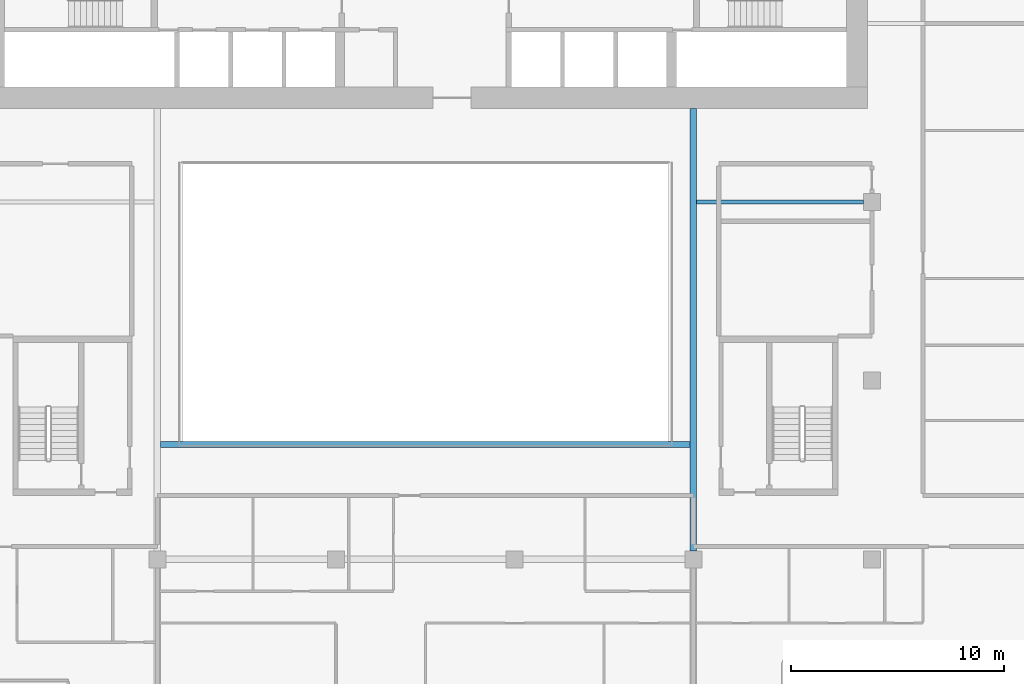
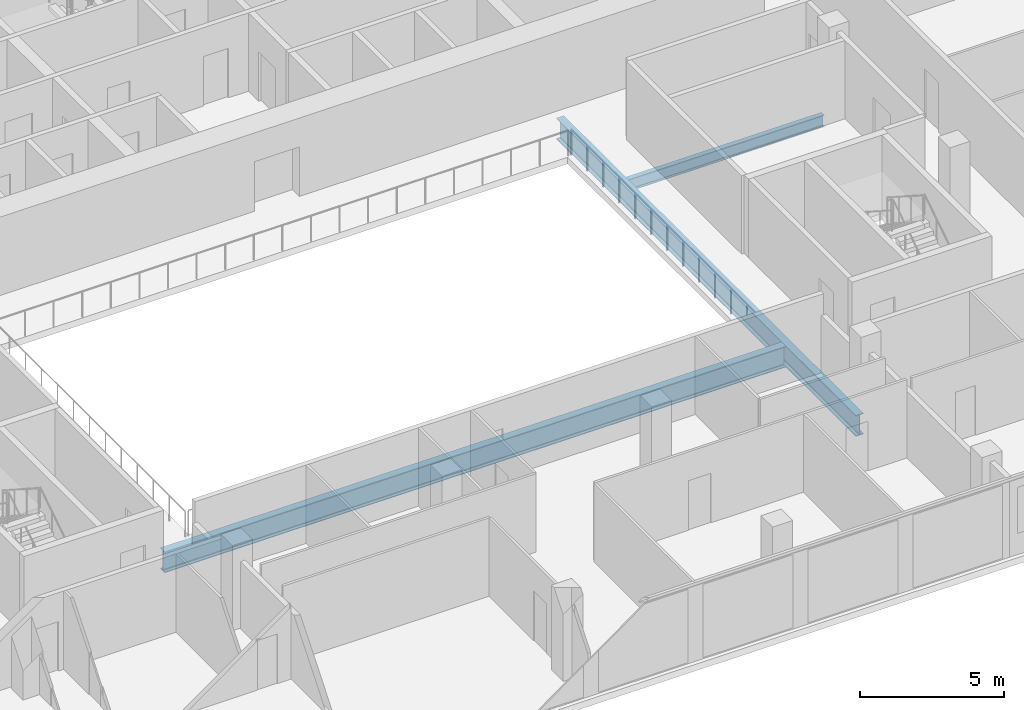
# One storey, part 7 of 27: 3 beams.
"""IFC4 building model written with IfcOpenShell, lengths in metres."""

import ifcopenshell
import ifcopenshell.guid

model = None  # the IFC model being written
_history = None  # IfcOwnerHistory: only IFC2X3 demands one
_inside = {}  # id of a spatial element -> (the spatial element, [elements in it])
_under = {}  # id of a project, library or spatial element -> (it, [spatial elements below it])
_declared = {}  # id of a project -> (the project, [libraries it declares])
_typed = {}  # id of a type object -> (the type object, [elements of that type])
_made_of = {}  # id of a material, layer set ... -> (it, [elements and type objects made of it])


def new_model(schema):
    """Start an empty IFC model of exactly this schema.

    Asked for "IFC4X3", IfcOpenShell would pick the latest addendum, in which some entities
    have other attributes; the version numbers below select the first issue.
    IFC2X3 requires an IfcOwnerHistory on every rooted entity: one is made here for all.
    """
    global model, _history
    if schema == "IFC4X3":
        model = ifcopenshell.file(schema_version=(4, 3, 0, 0))
    else:
        model = ifcopenshell.file(schema=schema)
    _inside.clear()
    _under.clear()
    _declared.clear()
    _typed.clear()
    _made_of.clear()
    _history = None
    if model.schema == "IFC2X3":
        org = make("IfcOrganization", Name="unknown")
        user = make(
            "IfcPersonAndOrganization",
            ThePerson=make("IfcPerson", FamilyName="unknown"),
            TheOrganization=org,
        )
        app = make(
            "IfcApplication",
            ApplicationDeveloper=org,
            Version="unknown",
            ApplicationFullName="unknown",
            ApplicationIdentifier="unknown",
        )
        _history = make(
            "IfcOwnerHistory",
            OwningUser=user,
            OwningApplication=app,
            ChangeAction="ADDED",
            CreationDate=0,
        )
    return model


def make(cls, **values):
    """One entity of the class cls with the attributes given. An attribute that is None is left unset."""
    return model.create_entity(
        cls, **{name: value for name, value in values.items() if value is not None}
    )


def rooted(cls, **values):
    """An entity with a GlobalId (a new one), such as an element, a storey or a relation."""
    return make(cls, GlobalId=ifcopenshell.guid.new(), OwnerHistory=_history, **values)


def si_unit(unit_type, name, prefix=None):
    """IfcSIUnit, for example si_unit("LENGTHUNIT", "METRE", prefix="MILLI")."""
    return make("IfcSIUnit", UnitType=unit_type, Prefix=prefix, Name=name)


def assignment(units):
    """IfcUnitAssignment: the units of a project."""
    return None if units is None else make("IfcUnitAssignment", Units=units)


def point(xyz):
    """IfcCartesianPoint."""
    return None if xyz is None else make("IfcCartesianPoint", Coordinates=xyz)


def direction(xyz):
    """IfcDirection."""
    return None if xyz is None else make("IfcDirection", DirectionRatios=xyz)


def frame(location, z_axis=None, x_axis=None):
    """IfcAxis2Placement3D, a coordinate frame: its origin and axes. An axis left out is left unset."""
    return make(
        "IfcAxis2Placement3D",
        Location=point(location),
        Axis=direction(z_axis),
        RefDirection=direction(x_axis),
    )


def frame_2d(location, x_axis=None):
    """IfcAxis2Placement2D, a coordinate frame in the plane: its origin and x axis."""
    return make(
        "IfcAxis2Placement2D", Location=point(location), RefDirection=direction(x_axis)
    )


def origin():
    """The frame at (0, 0, 0) with its axes left unset."""
    return frame((0.0, 0.0, 0.0))


def origin_2d():
    """The frame at (0, 0) in the plane with its x axis left unset."""
    return frame_2d((0.0, 0.0))


def place(relative_to, where):
    """IfcLocalPlacement: puts the frame where relative to a parent placement (None: the world)."""
    return make(
        "IfcLocalPlacement", PlacementRelTo=relative_to, RelativePlacement=where
    )


def context(
    kind, dimensions, precision=None, world=None, true_north=None, identifier=None
):
    """IfcGeometricRepresentationContext, for example the 3D "Model" context."""
    return make(
        "IfcGeometricRepresentationContext",
        ContextIdentifier=identifier,
        ContextType=kind,
        CoordinateSpaceDimension=dimensions,
        Precision=precision,
        WorldCoordinateSystem=world,
        TrueNorth=true_north,
    )


def subcontext(parent, identifier, kind, view, scale=None):
    """IfcGeometricRepresentationSubContext, for example "Body" below "Model"."""
    return make(
        "IfcGeometricRepresentationSubContext",
        ContextIdentifier=identifier,
        ContextType=kind,
        ParentContext=parent,
        TargetScale=scale,
        TargetView=view,
    )


def project(units=None, contexts=None):
    """IfcProject with its units and contexts."""
    return rooted(
        "IfcProject",
        Name="project",
        RepresentationContexts=contexts,
        UnitsInContext=assignment(units),
    )


def spatial(cls, under=None, at=None, **own):
    """A site, building, storey or space (cls), placed at a placement, below another one or the project."""
    s = rooted(cls, ObjectPlacement=at, **own)
    if under is not None:
        _under.setdefault(under.id(), (under, []))[1].append(s)
    return s


def profile(cls, at=None, kind="AREA", **sizes):
    """A parametric profile (cls). Its sizes go by their IFC names, for example OverallWidth=200.0."""
    return make(cls, ProfileType=kind, Position=at, **sizes)


def i_section(**sizes):
    """IfcIShapeProfileDef."""
    return profile("IfcIShapeProfileDef", **sizes)


def extrude(swept, where, along, depth):
    """IfcExtrudedAreaSolid: the profile swept, set in the frame where, extruded along a direction by depth."""
    return make(
        "IfcExtrudedAreaSolid",
        SweptArea=swept,
        Position=where,
        ExtrudedDirection=direction(along),
        Depth=depth,
    )


def shape(context_of_items, identifier, shape_type, items):
    """IfcShapeRepresentation: the items that make up one representation, for example the "Body"."""
    return make(
        "IfcShapeRepresentation",
        ContextOfItems=context_of_items,
        RepresentationIdentifier=identifier,
        RepresentationType=shape_type,
        Items=items,
    )


def material(Name=None, Category=None):
    """IfcMaterial."""
    return make("IfcMaterial", Name=Name, Category=Category)


def material_profile(
    of_material, cross_section, Name=None, Category=None, Priority=None
):
    """IfcMaterialProfile: a cross section and its material."""
    return make(
        "IfcMaterialProfile",
        Name=Name,
        Material=of_material,
        Profile=cross_section,
        Priority=Priority,
        Category=Category,
    )


def profile_set(profiles, Name=None, composite=None):
    """IfcMaterialProfileSet."""
    return make(
        "IfcMaterialProfileSet",
        Name=Name,
        MaterialProfiles=profiles,
        CompositeProfile=composite,
    )


def made_of(thing, what):
    """Note that an element or type object is made of a material, layer set ...; save() writes the relation."""
    if what is not None:
        _made_of.setdefault(what.id(), (what, []))[1].append(thing)
    return thing


def type_object(cls, material=None, **own):
    """A type object (cls), such as IfcWallType, which elements share."""
    return made_of(rooted(cls, **own), material)


def element(
    cls,
    number,
    at=None,
    inside=None,
    cuts=None,
    type_object=None,
    material=None,
    context=None,
    identifier="Body",
    shape_type=None,
    held_by="IfcProductDefinitionShape",
    body=None,
    shapes=None,
    **own,
):
    """One element of the class cls, such as IfcWall. Its Tag is "e" and its number.

    at: its placement. inside: the storey or other place that contains it. cuts: it is an
    opening in that element (IfcRelVoidsElement). A single representation is given by context,
    identifier, shape_type and body (its items); several are given by shapes. held_by: the class
    of the entity that holds the representations. save() writes the other relations.
    """
    e = rooted(cls, Tag="e%d" % number, ObjectPlacement=at, **own)
    if body is not None:
        shapes = [shape(context, identifier, shape_type, body)]
    if shapes is not None:
        e.Representation = make(held_by, Representations=shapes)
    if inside is not None:
        _inside.setdefault(inside.id(), (inside, []))[1].append(e)
    if cuts is not None:
        rooted(
            "IfcRelVoidsElement", RelatingBuildingElement=cuts, RelatedOpeningElement=e
        )
    if type_object is not None:
        _typed.setdefault(type_object.id(), (type_object, []))[1].append(e)
    return made_of(e, material)


def aggregate(whole, parts):
    """IfcRelAggregates: a whole, such as a stair, and the parts it consists of."""
    return rooted("IfcRelAggregates", RelatingObject=whole, RelatedObjects=parts)


def save(model, path):
    """Write the relations noted so far, then the file.

    IfcRelAggregates (storeys below a building ...), IfcRelContainedInSpatialStructure (elements
    in a storey), IfcRelDefinesByType, IfcRelAssociatesMaterial and IfcRelDeclares: one each for
    every whole, place, type object, material and project.
    """
    for whole, parts in _under.values():
        aggregate(whole, parts)
    for where, things in _inside.values():
        rooted(
            "IfcRelContainedInSpatialStructure",
            RelatedElements=things,
            RelatingStructure=where,
        )
    for kind, things in _typed.values():
        rooted("IfcRelDefinesByType", RelatedObjects=things, RelatingType=kind)
    for what, things in _made_of.values():
        rooted("IfcRelAssociatesMaterial", RelatedObjects=things, RelatingMaterial=what)
    for by, libraries in _declared.values():
        rooted("IfcRelDeclares", RelatingContext=by, RelatedDefinitions=libraries)
    model.write(path)


model = new_model("IFC4")

# Units and contexts
model_context = context("Model", 3, precision=1e-05, world=origin(), true_north=direction((0.0, 1.0)))
body_context = subcontext(model_context, "Body", "Model", "MODEL_VIEW")
ifc_project = project(units=[si_unit("LENGTHUNIT", "METRE"), si_unit("AREAUNIT", "SQUARE_METRE"), si_unit("VOLUMEUNIT", "CUBIC_METRE"), si_unit("PLANEANGLEUNIT", "RADIAN"), si_unit("MASSUNIT", "GRAM", prefix="KILO")], contexts=[model_context])

# Site, building, storey
site_placement = place(None, origin())
site = spatial("IfcSite", under=ifc_project, at=site_placement, CompositionType="ELEMENT")
building_placement = place(site_placement, origin())
building = spatial("IfcBuilding", under=site, at=building_placement, Name="Saffron Gate Tower", CompositionType="ELEMENT")
storey_placement = place(building_placement, frame((0.0, 0.0, 109.64990234375)))
storey = spatial("IfcBuildingStorey", under=building, at=storey_placement, Name="L25", CompositionType="ELEMENT", Elevation=109.64990234375)

# Beams
ifc_material = material(Name="Structural steel S355", Category="steel")
ifc_material_profile_1 = material_profile(ifc_material, i_section(OverallWidth=0.199951171875, OverallDepth=0.5, WebThickness=0.01025390625, FlangeThickness=0.01611328125, FilletRadius=0.02099609375, at=origin_2d()))
ifc_profile_set_1 = profile_set([ifc_material_profile_1], Name="Structural steel S355")
beam_type_1 = type_object("IfcBeamType", Name="B10 IPE 500", PredefinedType="BEAM", material=ifc_profile_set_1)
beam_1_placement = place(storey_placement, frame((108.199951171875, 57.0, -0.52978515625), z_axis=(-1.0, 0.0, 0.0), x_axis=(0.0, -1.0, 0.0)))
element("IfcBeam", 1, at=beam_1_placement, inside=storey, type_object=beam_type_1, Name="B10 CORE TIE BEAM", PredefinedType="BEAM", context=body_context, shape_type="SweptSolid", body=[
    extrude(i_section(OverallWidth=0.199951171875, OverallDepth=0.5, WebThickness=0.01025390625, FlangeThickness=0.01611328125, FilletRadius=0.02099609375, at=origin_2d()), origin(), (0.0, 0.0, 1.0), 7.849853515625),
])
ifc_material_profile_2 = material_profile(ifc_material, i_section(OverallWidth=0.300048828125, OverallDepth=0.889892578125, WebThickness=0.01611328125, FlangeThickness=0.030029296875, FilletRadius=0.030029296875, at=origin_2d()))
ifc_profile_set_2 = profile_set([ifc_material_profile_2], Name="Structural steel S355")
beam_type_2 = type_object("IfcBeamType", Name="B19 HEA 900", PredefinedType="BEAM", material=ifc_profile_set_2)
beam_2_placement = place(storey_placement, frame((100.199951171875, 40.60009765625, -0.724853515625), z_axis=(0.0, 1.0, 0.0), x_axis=(-1.0, 0.0, 0.0)))
element("IfcBeam", 2, at=beam_2_placement, inside=storey, type_object=beam_type_2, Name="B19 ATRIUM GIRDER", PredefinedType="BEAM", context=body_context, shape_type="SweptSolid", body=[
    extrude(i_section(OverallWidth=0.300048828125, OverallDepth=0.889892578125, WebThickness=0.01611328125, FlangeThickness=0.030029296875, FilletRadius=0.030029296875, at=origin_2d()), origin(), (0.0, 0.0, 1.0), 20.7998046875),
])
beam_3_placement = place(storey_placement, frame((75.14990234375, 45.60009765625, -0.724853515625), z_axis=(1.0, 0.0, 0.0), x_axis=(0.0, 1.0, 0.0)))
element("IfcBeam", 3, at=beam_3_placement, inside=storey, type_object=beam_type_2, Name="B19 ATRIUM GIRDER", PredefinedType="BEAM", context=body_context, shape_type="SweptSolid", body=[
    extrude(i_section(OverallWidth=0.300048828125, OverallDepth=0.889892578125, WebThickness=0.01611328125, FlangeThickness=0.030029296875, FilletRadius=0.030029296875, at=origin_2d()), origin(), (0.0, 0.0, 1.0), 24.900146484375),
])

save(model, "model.ifc")
